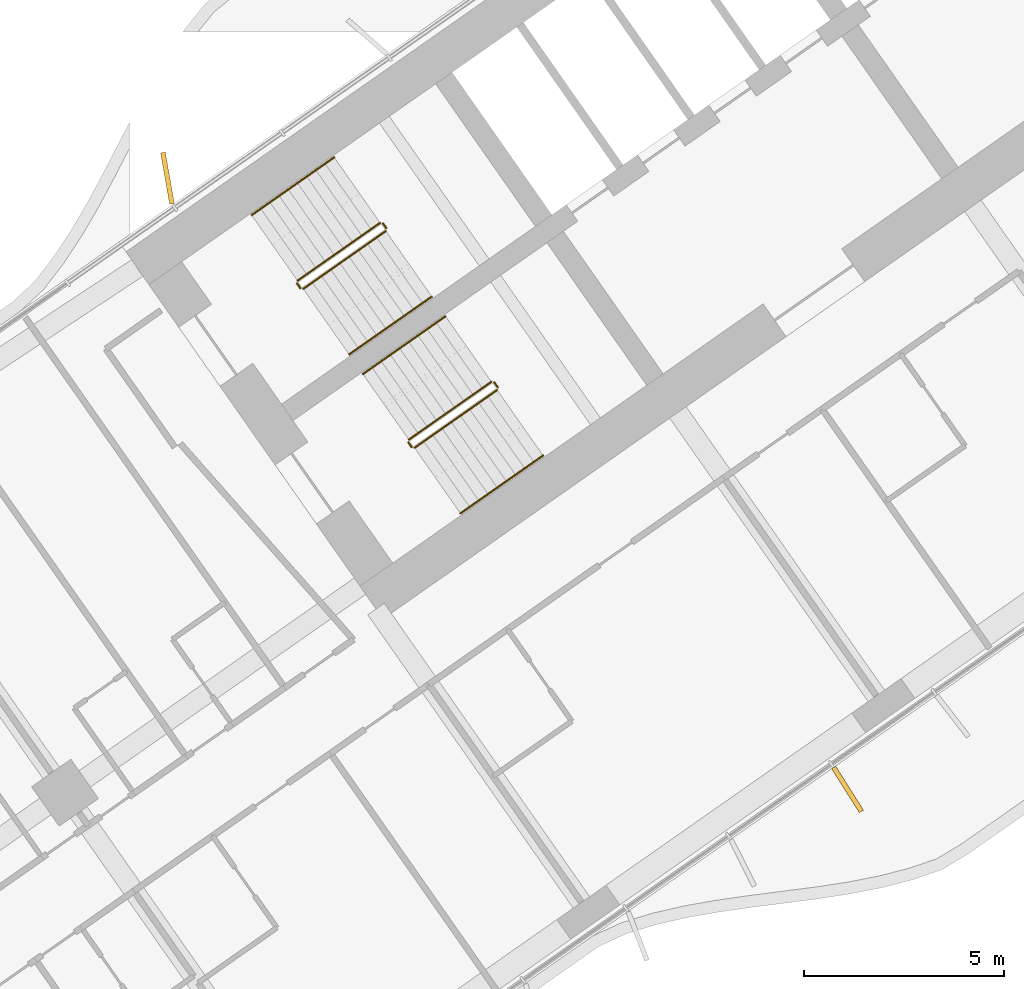
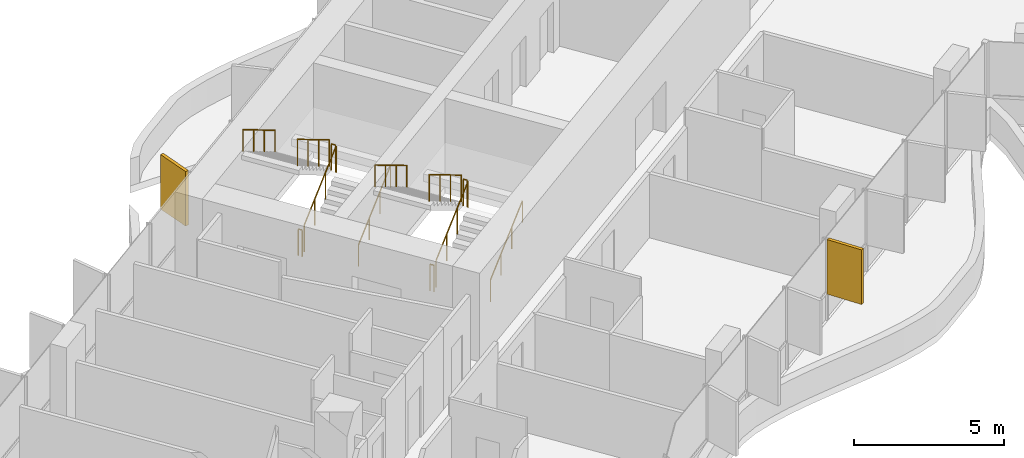
# One storey, part 20 of 24: 12 railings, 2 shading devices.
"""IFC4 building model written with IfcOpenShell, lengths in metres."""

import ifcopenshell
import ifcopenshell.guid

model = None  # the IFC model being written
_history = None  # IfcOwnerHistory: only IFC2X3 demands one
_inside = {}  # id of a spatial element -> (the spatial element, [elements in it])
_under = {}  # id of a project, library or spatial element -> (it, [spatial elements below it])
_declared = {}  # id of a project -> (the project, [libraries it declares])
_typed = {}  # id of a type object -> (the type object, [elements of that type])
_made_of = {}  # id of a material, layer set ... -> (it, [elements and type objects made of it])


def new_model(schema):
    """Start an empty IFC model of exactly this schema.

    Asked for "IFC4X3", IfcOpenShell would pick the latest addendum, in which some entities
    have other attributes; the version numbers below select the first issue.
    IFC2X3 requires an IfcOwnerHistory on every rooted entity: one is made here for all.
    """
    global model, _history
    if schema == "IFC4X3":
        model = ifcopenshell.file(schema_version=(4, 3, 0, 0))
    else:
        model = ifcopenshell.file(schema=schema)
    _inside.clear()
    _under.clear()
    _declared.clear()
    _typed.clear()
    _made_of.clear()
    _history = None
    if model.schema == "IFC2X3":
        org = make("IfcOrganization", Name="unknown")
        user = make(
            "IfcPersonAndOrganization",
            ThePerson=make("IfcPerson", FamilyName="unknown"),
            TheOrganization=org,
        )
        app = make(
            "IfcApplication",
            ApplicationDeveloper=org,
            Version="unknown",
            ApplicationFullName="unknown",
            ApplicationIdentifier="unknown",
        )
        _history = make(
            "IfcOwnerHistory",
            OwningUser=user,
            OwningApplication=app,
            ChangeAction="ADDED",
            CreationDate=0,
        )
    return model


def make(cls, **values):
    """One entity of the class cls with the attributes given. An attribute that is None is left unset."""
    return model.create_entity(
        cls, **{name: value for name, value in values.items() if value is not None}
    )


def rooted(cls, **values):
    """An entity with a GlobalId (a new one), such as an element, a storey or a relation."""
    return make(cls, GlobalId=ifcopenshell.guid.new(), OwnerHistory=_history, **values)


def si_unit(unit_type, name, prefix=None):
    """IfcSIUnit, for example si_unit("LENGTHUNIT", "METRE", prefix="MILLI")."""
    return make("IfcSIUnit", UnitType=unit_type, Prefix=prefix, Name=name)


def assignment(units):
    """IfcUnitAssignment: the units of a project."""
    return None if units is None else make("IfcUnitAssignment", Units=units)


def point(xyz):
    """IfcCartesianPoint."""
    return None if xyz is None else make("IfcCartesianPoint", Coordinates=xyz)


def direction(xyz):
    """IfcDirection."""
    return None if xyz is None else make("IfcDirection", DirectionRatios=xyz)


def frame(location, z_axis=None, x_axis=None):
    """IfcAxis2Placement3D, a coordinate frame: its origin and axes. An axis left out is left unset."""
    return make(
        "IfcAxis2Placement3D",
        Location=point(location),
        Axis=direction(z_axis),
        RefDirection=direction(x_axis),
    )


def frame_2d(location, x_axis=None):
    """IfcAxis2Placement2D, a coordinate frame in the plane: its origin and x axis."""
    return make(
        "IfcAxis2Placement2D", Location=point(location), RefDirection=direction(x_axis)
    )


def origin():
    """The frame at (0, 0, 0) with its axes left unset."""
    return frame((0.0, 0.0, 0.0))


def origin_2d():
    """The frame at (0, 0) in the plane with its x axis left unset."""
    return frame_2d((0.0, 0.0))


def place(relative_to, where):
    """IfcLocalPlacement: puts the frame where relative to a parent placement (None: the world)."""
    return make(
        "IfcLocalPlacement", PlacementRelTo=relative_to, RelativePlacement=where
    )


def context(
    kind, dimensions, precision=None, world=None, true_north=None, identifier=None
):
    """IfcGeometricRepresentationContext, for example the 3D "Model" context."""
    return make(
        "IfcGeometricRepresentationContext",
        ContextIdentifier=identifier,
        ContextType=kind,
        CoordinateSpaceDimension=dimensions,
        Precision=precision,
        WorldCoordinateSystem=world,
        TrueNorth=true_north,
    )


def subcontext(parent, identifier, kind, view, scale=None):
    """IfcGeometricRepresentationSubContext, for example "Body" below "Model"."""
    return make(
        "IfcGeometricRepresentationSubContext",
        ContextIdentifier=identifier,
        ContextType=kind,
        ParentContext=parent,
        TargetScale=scale,
        TargetView=view,
    )


def project(units=None, contexts=None):
    """IfcProject with its units and contexts."""
    return rooted(
        "IfcProject",
        Name="project",
        RepresentationContexts=contexts,
        UnitsInContext=assignment(units),
    )


def spatial(cls, under=None, at=None, **own):
    """A site, building, storey or space (cls), placed at a placement, below another one or the project."""
    s = rooted(cls, ObjectPlacement=at, **own)
    if under is not None:
        _under.setdefault(under.id(), (under, []))[1].append(s)
    return s


def profile(cls, at=None, kind="AREA", **sizes):
    """A parametric profile (cls). Its sizes go by their IFC names, for example OverallWidth=200.0."""
    return make(cls, ProfileType=kind, Position=at, **sizes)


def rectangle(**sizes):
    """IfcRectangleProfileDef."""
    return profile("IfcRectangleProfileDef", **sizes)


def circle(**sizes):
    """IfcCircleProfileDef."""
    return profile("IfcCircleProfileDef", **sizes)


def extrude(swept, where, along, depth):
    """IfcExtrudedAreaSolid: the profile swept, set in the frame where, extruded along a direction by depth."""
    return make(
        "IfcExtrudedAreaSolid",
        SweptArea=swept,
        Position=where,
        ExtrudedDirection=direction(along),
        Depth=depth,
    )


def shape(context_of_items, identifier, shape_type, items):
    """IfcShapeRepresentation: the items that make up one representation, for example the "Body"."""
    return make(
        "IfcShapeRepresentation",
        ContextOfItems=context_of_items,
        RepresentationIdentifier=identifier,
        RepresentationType=shape_type,
        Items=items,
    )


def material(Name=None, Category=None):
    """IfcMaterial."""
    return make("IfcMaterial", Name=Name, Category=Category)


def layer(
    of_material, thickness, ventilated=None, Name=None, Category=None, Priority=None
):
    """IfcMaterialLayer: one layer of a wall or slab, of a material (None: an air gap)."""
    return make(
        "IfcMaterialLayer",
        Material=of_material,
        LayerThickness=thickness,
        IsVentilated=ventilated,
        Name=Name,
        Category=Category,
        Priority=Priority,
    )


def layer_set(layers, Name=None):
    """IfcMaterialLayerSet."""
    return make("IfcMaterialLayerSet", MaterialLayers=layers, LayerSetName=Name)


def made_of(thing, what):
    """Note that an element or type object is made of a material, layer set ...; save() writes the relation."""
    if what is not None:
        _made_of.setdefault(what.id(), (what, []))[1].append(thing)
    return thing


def type_object(cls, material=None, **own):
    """A type object (cls), such as IfcWallType, which elements share."""
    return made_of(rooted(cls, **own), material)


def element(
    cls,
    number,
    at=None,
    inside=None,
    cuts=None,
    type_object=None,
    material=None,
    context=None,
    identifier="Body",
    shape_type=None,
    held_by="IfcProductDefinitionShape",
    body=None,
    shapes=None,
    **own,
):
    """One element of the class cls, such as IfcWall. Its Tag is "e" and its number.

    at: its placement. inside: the storey or other place that contains it. cuts: it is an
    opening in that element (IfcRelVoidsElement). A single representation is given by context,
    identifier, shape_type and body (its items); several are given by shapes. held_by: the class
    of the entity that holds the representations. save() writes the other relations.
    """
    e = rooted(cls, Tag="e%d" % number, ObjectPlacement=at, **own)
    if body is not None:
        shapes = [shape(context, identifier, shape_type, body)]
    if shapes is not None:
        e.Representation = make(held_by, Representations=shapes)
    if inside is not None:
        _inside.setdefault(inside.id(), (inside, []))[1].append(e)
    if cuts is not None:
        rooted(
            "IfcRelVoidsElement", RelatingBuildingElement=cuts, RelatedOpeningElement=e
        )
    if type_object is not None:
        _typed.setdefault(type_object.id(), (type_object, []))[1].append(e)
    return made_of(e, material)


def aggregate(whole, parts):
    """IfcRelAggregates: a whole, such as a stair, and the parts it consists of."""
    return rooted("IfcRelAggregates", RelatingObject=whole, RelatedObjects=parts)


def save(model, path):
    """Write the relations noted so far, then the file.

    IfcRelAggregates (storeys below a building ...), IfcRelContainedInSpatialStructure (elements
    in a storey), IfcRelDefinesByType, IfcRelAssociatesMaterial and IfcRelDeclares: one each for
    every whole, place, type object, material and project.
    """
    for whole, parts in _under.values():
        aggregate(whole, parts)
    for where, things in _inside.values():
        rooted(
            "IfcRelContainedInSpatialStructure",
            RelatedElements=things,
            RelatingStructure=where,
        )
    for kind, things in _typed.values():
        rooted("IfcRelDefinesByType", RelatedObjects=things, RelatingType=kind)
    for what, things in _made_of.values():
        rooted("IfcRelAssociatesMaterial", RelatedObjects=things, RelatingMaterial=what)
    for by, libraries in _declared.values():
        rooted("IfcRelDeclares", RelatingContext=by, RelatedDefinitions=libraries)
    model.write(path)


model = new_model("IFC4")

# Units and contexts
model_context = context("Model", 3, precision=1e-05, world=origin(), true_north=direction((0.0, 1.0)))
body_context = subcontext(model_context, "Body", "Model", "MODEL_VIEW")
ifc_project = project(units=[si_unit("LENGTHUNIT", "METRE"), si_unit("AREAUNIT", "SQUARE_METRE"), si_unit("VOLUMEUNIT", "CUBIC_METRE"), si_unit("PLANEANGLEUNIT", "RADIAN"), si_unit("MASSUNIT", "GRAM", prefix="KILO")], contexts=[model_context])

# Site, building, storey
site_placement = place(None, origin())
site = spatial("IfcSite", under=ifc_project, at=site_placement, CompositionType="ELEMENT")
building_placement = place(site_placement, origin())
building = spatial("IfcBuilding", under=site, at=building_placement, Name="Tel Ilan Convention Tower", CompositionType="ELEMENT")
storey_placement = place(building_placement, frame((0.0, 0.0, 90.5)))
storey = spatial("IfcBuildingStorey", under=building, at=storey_placement, Name="L18", CompositionType="ELEMENT", Elevation=90.5)

# Shading devices
ifc_material_1 = material(Name="Aluminium, bronze anodised", Category="aluminium")
ifc_layer = layer(ifc_material_1, 0.1201171875)
ifc_layer_set = layer_set([ifc_layer], Name="FIN BRONZE 1300x120")
shading_device_type = type_object("IfcShadingDeviceType", Name="FIN BRONZE 1300x120", PredefinedType="USERDEFINED", material=ifc_layer_set)
for number, where, z_axis, x_axis, name in (
    (1, (-26.929931640625, -5.288818359375, 1.10009765625), (0.0, 0.0, 1.0), (-0.173648177667, 0.984807753012, 0.0), "FIN"),
    (2, (-9.931884765625, -20.56787109375, 1.10009765625), (0.0, 0.0, 1.0), (0.533204432798, -0.845986425922, 0.0), "FIN"),
):
    element("IfcShadingDevice", number, at=place(storey_placement, frame(where, z_axis=z_axis, x_axis=x_axis)), inside=storey, type_object=shading_device_type, Name=name, ObjectType="FIN", PredefinedType="USERDEFINED", context=body_context, shape_type="SweptSolid", body=[
        extrude(rectangle(XDim=1.300048828125, YDim=0.1201171875, at=origin_2d()), origin(), (0.0, 0.0, 1.0), 2.219970703125),
    ])

# Railings
ifc_material_2 = material(Name="Stainless Steel Grade 316", Category="steel")
railing_type_1 = type_object("IfcRailingType", Name="Stainless Steel Stair Guard 1100 mm", PredefinedType="GUARDRAIL", material=ifc_material_2)
railing_1_placement = place(storey_placement, frame((-23.535400390625, -8.056396484375, 0.179931640625)))
element("IfcRailing", 3, at=railing_1_placement, inside=storey, type_object=railing_type_1, Name="L18 S1 stair guard 1", PredefinedType="GUARDRAIL", context=body_context, shape_type="SweptSolid", body=[
    extrude(circle(Radius=0.02392578125, at=origin_2d()), frame((0.0, 0.0, 1.076171875), z_axis=(0.689013013563, 0.482512838948, 0.540779462804), x_axis=(-0.573624882958, 0.819118119475, 0.0)), (0.0, 0.0, 1.0), 2.995849609375),
    extrude(circle(Radius=0.02099609375, at=origin_2d()), origin(), (0.0, 0.0, 1.0), 1.052001953125),
    extrude(circle(Radius=0.02099609375, at=origin_2d()), frame((0.68798828125, 0.48193359375, 0.5400390625)), (0.0, 0.0, 1.0), 1.052001953125),
    extrude(circle(Radius=0.02099609375, at=origin_2d()), frame((1.376220703125, 0.963623046875, 1.080078125)), (0.0, 0.0, 1.0), 1.052001953125),
    extrude(circle(Radius=0.02099609375, at=origin_2d()), frame((2.064208984375, 1.445556640625, 1.6201171875)), (0.0, 0.0, 1.0), 1.052001953125),
])
railing_2_placement = place(storey_placement, frame((-21.458984375, -6.541259765625, 1.800048828125)))
element("IfcRailing", 4, at=railing_2_placement, inside=storey, type_object=railing_type_1, Name="L18 S1 stair guard 2", PredefinedType="GUARDRAIL", context=body_context, shape_type="SweptSolid", body=[
    extrude(circle(Radius=0.02392578125, at=origin_2d()), frame((0.0, 0.0, 1.076171875), z_axis=(-0.573353020881, 0.819308436089, 0.0), x_axis=(-0.819308436089, -0.573353020881, 0.0)), (0.0, 0.0, 1.0), 0.14990234375),
    extrude(circle(Radius=0.02099609375, at=origin_2d()), origin(), (0.0, 0.0, 1.0), 1.052001953125),
    extrude(circle(Radius=0.02099609375, at=origin_2d()), frame((-0.0859375, 0.122802734375, 0.0)), (0.0, 0.0, 1.0), 1.052001953125),
])
railing_3_placement = place(storey_placement, frame((-21.614501953125, -6.406005859375, 1.97998046875)))
element("IfcRailing", 5, at=railing_3_placement, inside=storey, type_object=railing_type_1, Name="L18 S1 stair guard 3", PredefinedType="GUARDRAIL", context=body_context, shape_type="SweptSolid", body=[
    extrude(circle(Radius=0.02392578125, at=origin_2d()), frame((0.0, 0.0, 1.076171875), z_axis=(-0.689013013563, -0.482512838948, 0.540779462804), x_axis=(0.573624882958, -0.819118119475, 0.0)), (0.0, 0.0, 1.0), 2.995849609375),
    extrude(circle(Radius=0.02099609375, at=origin_2d()), origin(), (0.0, 0.0, 1.0), 1.052001953125),
    extrude(circle(Radius=0.02099609375, at=origin_2d()), frame((-0.68798828125, -0.48193359375, 0.5400390625)), (0.0, 0.0, 1.0), 1.052001953125),
    extrude(circle(Radius=0.02099609375, at=origin_2d()), frame((-1.376220703125, -0.963623046875, 1.080078125)), (0.0, 0.0, 1.0), 1.052001953125),
    extrude(circle(Radius=0.02099609375, at=origin_2d()), frame((-2.064208984375, -1.445556640625, 1.6201171875)), (0.0, 0.0, 1.0), 1.052001953125),
])
railing_4_placement = place(storey_placement, frame((-23.60498046875, -8.0439453125, 0.0)))
element("IfcRailing", 6, at=railing_4_placement, inside=storey, type_object=railing_type_1, Name="L18 S1 stair guard 4", PredefinedType="GUARDRAIL", context=body_context, shape_type="SweptSolid", body=[
    extrude(circle(Radius=0.02392578125, at=origin_2d()), frame((0.0, 0.0, 1.076171875), z_axis=(-0.574444878118, 0.818543268254, 0.0), x_axis=(-0.818543268254, -0.574444878118, 0.0)), (0.0, 0.0, 1.0), 0.150146484375),
    extrude(circle(Radius=0.02099609375, at=origin_2d()), origin(), (0.0, 0.0, 1.0), 1.052001953125),
    extrude(circle(Radius=0.02099609375, at=origin_2d()), frame((-0.086181640625, 0.122802734375, 0.0)), (0.0, 0.0, 1.0), 1.052001953125),
])
railing_5_placement = place(storey_placement, frame((-20.753662109375, -12.029296875, 0.179931640625)))
element("IfcRailing", 7, at=railing_5_placement, inside=storey, type_object=railing_type_1, Name="L18 S2 stair guard 1", PredefinedType="GUARDRAIL", context=body_context, shape_type="SweptSolid", body=[
    extrude(circle(Radius=0.02392578125, at=origin_2d()), frame((0.0, 0.0, 1.076171875), z_axis=(0.689055814419, 0.482485747064, 0.540749099395), x_axis=(-0.573579365141, 0.81914999352, 0.0)), (0.0, 0.0, 1.0), 2.99609375),
    extrude(circle(Radius=0.02099609375, at=origin_2d()), origin(), (0.0, 0.0, 1.0), 1.052001953125),
    extrude(circle(Radius=0.02099609375, at=origin_2d()), frame((0.688232421875, 0.48193359375, 0.5400390625)), (0.0, 0.0, 1.0), 1.052001953125),
    extrude(circle(Radius=0.02099609375, at=origin_2d()), frame((1.376220703125, 0.963623046875, 1.080078125)), (0.0, 0.0, 1.0), 1.052001953125),
    extrude(circle(Radius=0.02099609375, at=origin_2d()), frame((2.064453125, 1.445556640625, 1.6201171875)), (0.0, 0.0, 1.0), 1.052001953125),
])
railing_6_placement = place(storey_placement, frame((-18.677001953125, -10.51416015625, 1.800048828125)))
element("IfcRailing", 8, at=railing_6_placement, inside=storey, type_object=railing_type_1, Name="L18 S2 stair guard 2", PredefinedType="GUARDRAIL", context=body_context, shape_type="SweptSolid", body=[
    extrude(circle(Radius=0.02392578125, at=origin_2d()), frame((0.0, 0.0, 1.076171875), z_axis=(-0.573353020881, 0.819308436089, 0.0), x_axis=(-0.819308436089, -0.573353020881, 0.0)), (0.0, 0.0, 1.0), 0.14990234375),
    extrude(circle(Radius=0.02099609375, at=origin_2d()), origin(), (0.0, 0.0, 1.0), 1.052001953125),
    extrude(circle(Radius=0.02099609375, at=origin_2d()), frame((-0.0859375, 0.122802734375, 0.0)), (0.0, 0.0, 1.0), 1.052001953125),
])
railing_7_placement = place(storey_placement, frame((-18.832763671875, -10.37890625, 1.97998046875)))
element("IfcRailing", 9, at=railing_7_placement, inside=storey, type_object=railing_type_1, Name="L18 S2 stair guard 3", PredefinedType="GUARDRAIL", context=body_context, shape_type="SweptSolid", body=[
    extrude(circle(Radius=0.02392578125, at=origin_2d()), frame((0.0, 0.0, 1.076171875), z_axis=(-0.689013013563, -0.482512838948, 0.540779462804), x_axis=(0.573624882958, -0.819118119475, 0.0)), (0.0, 0.0, 1.0), 2.995849609375),
    extrude(circle(Radius=0.02099609375, at=origin_2d()), origin(), (0.0, 0.0, 1.0), 1.052001953125),
    extrude(circle(Radius=0.02099609375, at=origin_2d()), frame((-0.68798828125, -0.48193359375, 0.5400390625)), (0.0, 0.0, 1.0), 1.052001953125),
    extrude(circle(Radius=0.02099609375, at=origin_2d()), frame((-1.376220703125, -0.963623046875, 1.080078125)), (0.0, 0.0, 1.0), 1.052001953125),
    extrude(circle(Radius=0.02099609375, at=origin_2d()), frame((-2.064208984375, -1.445556640625, 1.6201171875)), (0.0, 0.0, 1.0), 1.052001953125),
])
railing_8_placement = place(storey_placement, frame((-20.8232421875, -12.016845703125, 0.0)))
element("IfcRailing", 10, at=railing_8_placement, inside=storey, type_object=railing_type_1, Name="L18 S2 stair guard 4", PredefinedType="GUARDRAIL", context=body_context, shape_type="SweptSolid", body=[
    extrude(circle(Radius=0.02392578125, at=origin_2d()), frame((0.0, 0.0, 1.076171875), z_axis=(-0.573353020881, 0.819308436089, 0.0), x_axis=(-0.819308436089, -0.573353020881, 0.0)), (0.0, 0.0, 1.0), 0.14990234375),
    extrude(circle(Radius=0.02099609375, at=origin_2d()), origin(), (0.0, 0.0, 1.0), 1.052001953125),
    extrude(circle(Radius=0.02099609375, at=origin_2d()), frame((-0.0859375, 0.122802734375, 0.0)), (0.0, 0.0, 1.0), 1.052001953125),
])
ifc_material_3 = material(Name="Stainless Steel Grade 316", Category="steel")
railing_type_2 = type_object("IfcRailingType", Name="Stainless Steel Stair Handrail 900 mm", PredefinedType="HANDRAIL", material=ifc_material_3)
railing_9_placement = place(storey_placement, frame((-22.38818359375, -9.694580078125, 0.179931640625)))
element("IfcRailing", 11, at=railing_9_placement, inside=storey, type_object=railing_type_2, Name="L18 S1 stair handrail 1", PredefinedType="HANDRAIL", context=body_context, shape_type="SweptSolid", body=[
    extrude(circle(Radius=0.02392578125, at=origin_2d()), frame((0.0, 0.0, 0.8759765625), z_axis=(0.689040105437, 0.482450316285, 0.54080072616), x_axis=(-0.573559875649, 0.819163639968, 0.0)), (0.0, 0.0, 1.0), 2.995849609375),
    extrude(circle(Radius=0.02099609375, at=origin_2d()), origin(), (0.0, 0.0, 1.0), 0.851806640625),
    extrude(circle(Radius=0.02099609375, at=origin_2d()), frame((0.68798828125, 0.481689453125, 0.5400390625)), (0.0, 0.0, 1.0), 0.851806640625),
    extrude(circle(Radius=0.02099609375, at=origin_2d()), frame((1.376220703125, 0.963623046875, 1.080078125)), (0.0, 0.0, 1.0), 0.851806640625),
    extrude(circle(Radius=0.02099609375, at=origin_2d()), frame((2.064208984375, 1.4453125, 1.6201171875)), (0.0, 0.0, 1.0), 0.851806640625),
])
railing_10_placement = place(storey_placement, frame((-22.76171875, -4.767822265625, 1.97998046875)))
element("IfcRailing", 12, at=railing_10_placement, inside=storey, type_object=railing_type_2, Name="L18 S1 stair handrail 2", PredefinedType="HANDRAIL", context=body_context, shape_type="SweptSolid", body=[
    extrude(circle(Radius=0.02392578125, at=origin_2d()), frame((0.0, 0.0, 0.8759765625), z_axis=(-0.689040105437, -0.482450316285, 0.54080072616), x_axis=(0.573559875649, -0.819163639968, 0.0)), (0.0, 0.0, 1.0), 2.995849609375),
    extrude(circle(Radius=0.02099609375, at=origin_2d()), origin(), (0.0, 0.0, 1.0), 0.851806640625),
    extrude(circle(Radius=0.02099609375, at=origin_2d()), frame((-0.68798828125, -0.481689453125, 0.5400390625)), (0.0, 0.0, 1.0), 0.851806640625),
    extrude(circle(Radius=0.02099609375, at=origin_2d()), frame((-1.376220703125, -0.963623046875, 1.080078125)), (0.0, 0.0, 1.0), 0.851806640625),
    extrude(circle(Radius=0.02099609375, at=origin_2d()), frame((-2.064208984375, -1.4453125, 1.6201171875)), (0.0, 0.0, 1.0), 0.851806640625),
])
railing_11_placement = place(storey_placement, frame((-19.6064453125, -13.66748046875, 0.179931640625)))
element("IfcRailing", 13, at=railing_11_placement, inside=storey, type_object=railing_type_2, Name="L18 S2 stair handrail 1", PredefinedType="HANDRAIL", context=body_context, shape_type="SweptSolid", body=[
    extrude(circle(Radius=0.02392578125, at=origin_2d()), frame((0.0, 0.0, 0.8759765625), z_axis=(0.689040105437, 0.482450316285, 0.54080072616), x_axis=(-0.573559875649, 0.819163639968, 0.0)), (0.0, 0.0, 1.0), 2.995849609375),
    extrude(circle(Radius=0.02099609375, at=origin_2d()), origin(), (0.0, 0.0, 1.0), 0.851806640625),
    extrude(circle(Radius=0.02099609375, at=origin_2d()), frame((0.68798828125, 0.481689453125, 0.5400390625)), (0.0, 0.0, 1.0), 0.851806640625),
    extrude(circle(Radius=0.02099609375, at=origin_2d()), frame((1.376220703125, 0.963623046875, 1.080078125)), (0.0, 0.0, 1.0), 0.851806640625),
    extrude(circle(Radius=0.02099609375, at=origin_2d()), frame((2.064208984375, 1.4453125, 1.6201171875)), (0.0, 0.0, 1.0), 0.851806640625),
])
railing_12_placement = place(storey_placement, frame((-19.979736328125, -8.74072265625, 1.97998046875)))
element("IfcRailing", 14, at=railing_12_placement, inside=storey, type_object=railing_type_2, Name="L18 S2 stair handrail 2", PredefinedType="HANDRAIL", context=body_context, shape_type="SweptSolid", body=[
    extrude(circle(Radius=0.02392578125, at=origin_2d()), frame((0.0, 0.0, 0.8759765625), z_axis=(-0.689082904933, -0.482423225781, 0.540770359169), x_axis=(0.573514357932, -0.81919550856, 0.0)), (0.0, 0.0, 1.0), 2.995849609375),
    extrude(circle(Radius=0.02099609375, at=origin_2d()), origin(), (0.0, 0.0, 1.0), 0.851806640625),
    extrude(circle(Radius=0.02099609375, at=origin_2d()), frame((-0.688232421875, -0.481689453125, 0.5400390625)), (0.0, 0.0, 1.0), 0.851806640625),
    extrude(circle(Radius=0.02099609375, at=origin_2d()), frame((-1.376220703125, -0.963623046875, 1.080078125)), (0.0, 0.0, 1.0), 0.851806640625),
    extrude(circle(Radius=0.02099609375, at=origin_2d()), frame((-2.064453125, -1.4453125, 1.6201171875)), (0.0, 0.0, 1.0), 0.851806640625),
])

save(model, "model.ifc")
